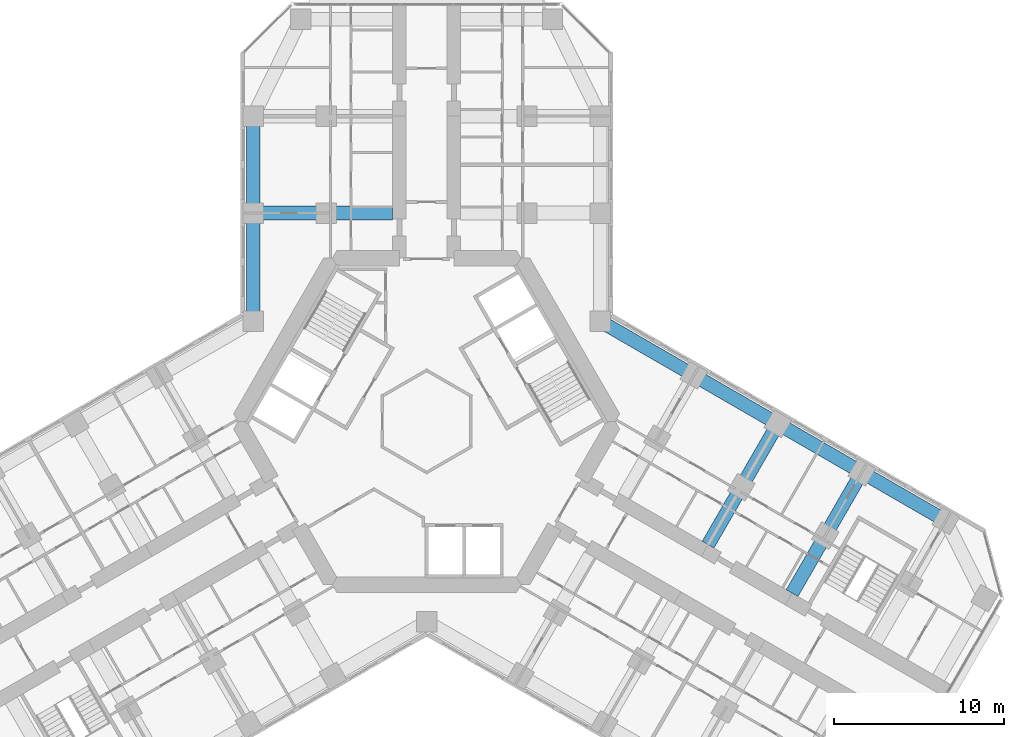
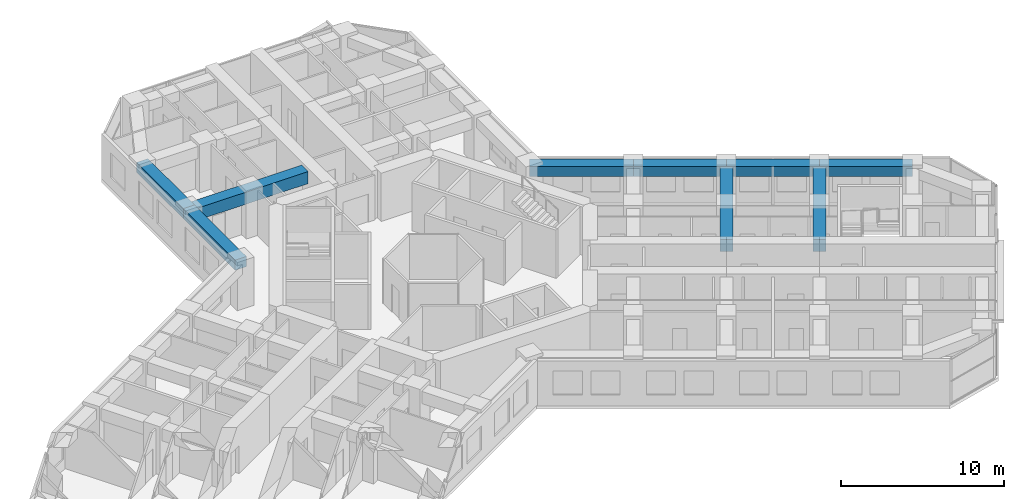
# One storey, part 6 of 20: 9 beams.
"""IFC4 building model written with IfcOpenShell, lengths in metres."""

from ifc_helpers import new_model, si_unit, direction, frame, origin, origin_2d, place, context, subcontext, project, spatial, rectangle, extrude, material, material_profile, profile_set, type_object, element, save


model = new_model("IFC4")

# Units and contexts
model_context = context("Model", 3, precision=1e-05, world=origin(), true_north=direction((0.0, 1.0)))
body_context = subcontext(model_context, "Body", "Model", "MODEL_VIEW")
ifc_project = project(units=[si_unit("LENGTHUNIT", "METRE"), si_unit("AREAUNIT", "SQUARE_METRE"), si_unit("VOLUMEUNIT", "CUBIC_METRE"), si_unit("PLANEANGLEUNIT", "RADIAN"), si_unit("MASSUNIT", "GRAM", prefix="KILO")], contexts=[model_context])

# Site, building, storey
site_placement = place(None, origin())
site = spatial("IfcSite", under=ifc_project, at=site_placement, CompositionType="ELEMENT")
building_placement = place(site_placement, origin())
building = spatial("IfcBuilding", under=site, at=building_placement, Name="Kosmar Iwan School Tower", CompositionType="ELEMENT")
storey_placement = place(building_placement, frame((0.0, 0.0, 127.39990234375)))
storey = spatial("IfcBuildingStorey", under=building, at=storey_placement, Name="L31", CompositionType="ELEMENT", Elevation=127.39990234375)

# Beams
ifc_material_1 = material(Name="Concrete C50/60", Category="concrete")
ifc_material_profile_1 = material_profile(ifc_material_1, rectangle(XDim=0.800048828125, YDim=0.75, at=origin_2d()), Name="RC 800x750")
ifc_profile_set_1 = profile_set([ifc_material_profile_1], Name="Concrete C50/60")
beam_type_1 = type_object("IfcBeamType", Name="RC edge beam 800x750", PredefinedType="BEAM", material=ifc_profile_set_1)
beam_1_placement = place(storey_placement, frame((-10.199951171875, 5.888916015625, 2.97509765625), z_axis=(0.0, 1.0, 0.0), x_axis=(-1.0, 0.0, 0.0)))
element("IfcBeam", 1, at=beam_1_placement, inside=storey, type_object=beam_type_1, Name="Edge beam AL1", PredefinedType="BEAM", context=body_context, shape_type="SweptSolid", body=[
    extrude(rectangle(XDim=0.800048828125, YDim=0.75, at=origin_2d()), origin(), (0.0, 0.0, 1.0), 6.361083984375),
])
beam_2_placement = place(storey_placement, frame((-10.199951171875, 12.25, 2.97509765625), z_axis=(0.0, 1.0, 0.0), x_axis=(-1.0, 0.0, 0.0)))
element("IfcBeam", 2, at=beam_2_placement, inside=storey, type_object=beam_type_1, Name="Edge beam AL2", PredefinedType="BEAM", context=body_context, shape_type="SweptSolid", body=[
    extrude(rectangle(XDim=0.800048828125, YDim=0.75, at=origin_2d()), origin(), (0.0, 0.0, 1.0), 5.699951171875),
])
beam_3_placement = place(storey_placement, frame((10.199951171875, 5.888916015625, 2.97509765625), z_axis=(0.866030912664, -0.49999045822, 0.0), x_axis=(0.49999045822, 0.866030912664, 0.0)))
element("IfcBeam", 3, at=beam_3_placement, inside=storey, type_object=beam_type_1, Name="Edge beam CL1", PredefinedType="BEAM", context=body_context, shape_type="SweptSolid", body=[
    extrude(rectangle(XDim=0.800048828125, YDim=0.75, at=origin_2d()), origin(), (0.0, 0.0, 1.0), 6.36083984375),
])
beam_4_placement = place(storey_placement, frame((15.708740234375, 2.70849609375, 2.97509765625), z_axis=(0.866025820012, -0.499999279071, 0.0), x_axis=(0.499999279071, 0.866025820012, 0.0)))
element("IfcBeam", 4, at=beam_4_placement, inside=storey, type_object=beam_type_1, Name="Edge beam CL2", PredefinedType="BEAM", context=body_context, shape_type="SweptSolid", body=[
    extrude(rectangle(XDim=0.800048828125, YDim=0.75, at=origin_2d()), origin(), (0.0, 0.0, 1.0), 5.7001953125),
])
for number, where, z_axis, x_axis, name in (
    (5, (20.645263671875, -0.1416015625, 2.97509765625), (0.866033658841, -0.49998570155, 0.0), (0.49998570155, 0.866033658841, 0.0), "Edge beam CL3"),
    (6, (25.58154296875, -2.991455078125, 2.97509765625), (0.866015111908, -0.50001782563, 0.0), (0.50001782563, 0.866015111908, 0.0), "Edge beam CL4"),
):
    element("IfcBeam", number, at=place(storey_placement, frame(where, z_axis=z_axis, x_axis=x_axis)), inside=storey, type_object=beam_type_1, Name=name, PredefinedType="BEAM", context=body_context, shape_type="SweptSolid", body=[
        extrude(rectangle(XDim=0.800048828125, YDim=0.75, at=origin_2d()), origin(), (0.0, 0.0, 1.0), 5.699951171875),
    ])
ifc_material_2 = material(Name="Concrete C50/60", Category="concrete")
ifc_material_profile_2 = material_profile(ifc_material_2, rectangle(XDim=0.800048828125, YDim=0.89990234375, at=origin_2d()), Name="RC 800x900")
ifc_profile_set_2 = profile_set([ifc_material_profile_2], Name="Concrete C50/60")
beam_type_2 = type_object("IfcBeamType", Name="RC transverse beam 800x900", PredefinedType="BEAM", material=ifc_profile_set_2)
for number, where, z_axis, x_axis, name in (
    (7, (-10.199951171875, 12.25, 2.900146484375), (1.0, 0.0, 0.0), (0.0, 1.0, 0.0), "Transverse beam AL1"),
    (8, (20.645263671875, -0.1416015625, 2.900146484375), (-0.500013681986, -0.866017504342, 0.0), (0.866017504342, -0.500013681986, 0.0), "Transverse beam CL2"),
):
    element("IfcBeam", number, at=place(storey_placement, frame(where, z_axis=z_axis, x_axis=x_axis)), inside=storey, type_object=beam_type_2, Name=name, PredefinedType="BEAM", context=body_context, shape_type="SweptSolid", body=[
        extrude(rectangle(XDim=0.800048828125, YDim=0.89990234375, at=origin_2d()), origin(), (0.0, 0.0, 1.0), 8.199951171875),
    ])
beam_5_placement = place(storey_placement, frame((25.58154296875, -2.991455078125, 2.900146484375), z_axis=(-0.500000789788, -0.8660249478, 0.0), x_axis=(0.8660249478, -0.500000789788, 0.0)))
element("IfcBeam", 9, at=beam_5_placement, inside=storey, type_object=beam_type_2, Name="Transverse beam CL3", PredefinedType="BEAM", context=body_context, shape_type="SweptSolid", body=[
    extrude(rectangle(XDim=0.800048828125, YDim=0.89990234375, at=origin_2d()), origin(), (0.0, 0.0, 1.0), 8.2001953125),
])

save(model, "model.ifc")
